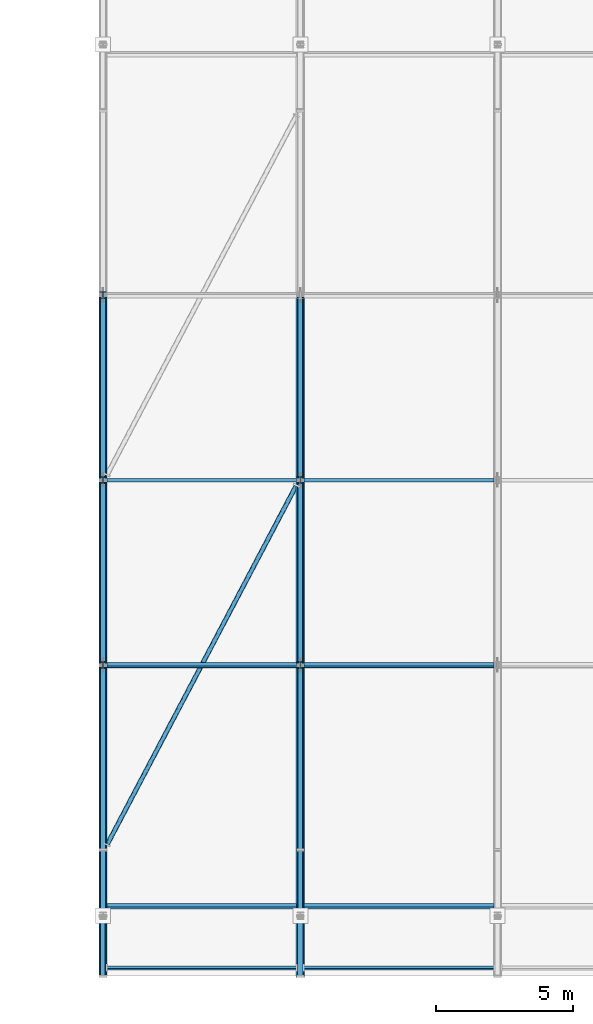
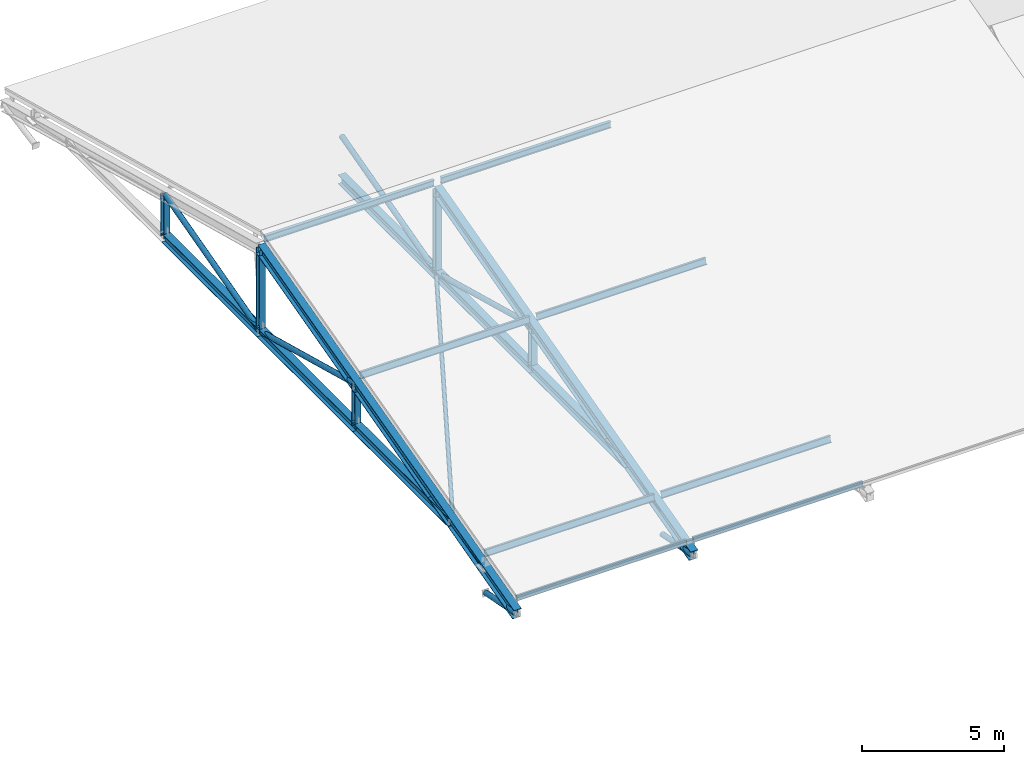
# One storey, part 1 of 57: 30 members, 2 beams.
"""IFC4 building model written with IfcOpenShell, lengths in metres."""

from ifc_helpers import new_model, si_unit, direction, frame, origin, origin_2d, place, context, subcontext, project, spatial, hollow_rectangle, hollow_circle, i_section, extrude, material, material_profile, profile_set, type_object, element, save


model = new_model("IFC4")

# Units and contexts
model_context = context("Model", 3, precision=1e-05, world=origin(), true_north=direction((0.0, 1.0)))
body_context = subcontext(model_context, "Body", "Model", "MODEL_VIEW")
ifc_project = project(units=[si_unit("LENGTHUNIT", "METRE"), si_unit("AREAUNIT", "SQUARE_METRE"), si_unit("VOLUMEUNIT", "CUBIC_METRE"), si_unit("PLANEANGLEUNIT", "RADIAN"), si_unit("MASSUNIT", "GRAM", prefix="KILO")], contexts=[model_context])

# Site, building, storey
site_placement = place(None, origin())
site = spatial("IfcSite", under=ifc_project, at=site_placement, CompositionType="ELEMENT")
building_placement = place(site_placement, origin())
building = spatial("IfcBuilding", under=site, at=building_placement, Name="Kelarvand Opera House", CompositionType="ELEMENT")
storey_placement = place(building_placement, frame((0.0, 0.0, 33.60009765625)))
storey = spatial("IfcBuildingStorey", under=building, at=storey_placement, Name="Roof", CompositionType="ELEMENT", Elevation=33.60009765625)

# Members
ifc_material = material(Name="Steel S355", Category="steel")
ifc_material_profile_1 = material_profile(ifc_material, hollow_circle(Radius=0.084228515625, WallThickness=0.008056640625, at=origin_2d()), Name="CHS 168.3x8.0", Category="steel")
ifc_profile_set_1 = profile_set([ifc_material_profile_1], Name="Steel S355")
member_type_1 = type_object("IfcMemberType", Name="Structural Brace CHS 168.3x8.0 BR-CHS168", PredefinedType="BRACE", material=ifc_profile_set_1)
member_1_placement = place(storey_placement, frame((59.35009765625, 49.199951171875, 0.52001953125), z_axis=(0.466016890675, 0.884775823362, 0.0), x_axis=(-0.884775823362, 0.466016890675, 0.0)))
element("IfcMember", 1, at=member_1_placement, inside=storey, type_object=member_type_1, Name="V2 Roof Wind Brace 1.1", PredefinedType="BRACE", context=body_context, shape_type="SweptSolid", body=[
    extrude(hollow_circle(Radius=0.084228515625, WallThickness=0.008056640625, at=origin_2d()), origin(), (0.0, 0.0, 1.0), 14.80615234375),
])
ifc_material_profile_2 = material_profile(ifc_material, hollow_circle(Radius=0.109619140625, WallThickness=0.010009765625, at=origin_2d()), Name="CHS 219.1x10.0", Category="steel")
ifc_profile_set_2 = profile_set([ifc_material_profile_2], Name="Steel S355")
member_type_2 = type_object("IfcMemberType", Name="Structural Brace CHS 219.1x10.0 BR-CHS219", PredefinedType="BRACE", material=ifc_profile_set_2)
member_2_placement = place(storey_placement, frame((59.199951171875, 46.60009765625, -1.10009765625), z_axis=(0.0, -0.981866297583, 0.189574717909), x_axis=(1.0, 0.0, 0.0)))
element("IfcMember", 2, at=member_2_placement, inside=storey, type_object=member_type_2, Name="V2 Roof Truss 1 Eave Knee Brace S", PredefinedType="BRACE", context=body_context, shape_type="SweptSolid", body=[
    extrude(hollow_circle(Radius=0.109619140625, WallThickness=0.010009765625, at=origin_2d()), origin(), (0.0, 0.0, 1.0), 2.24072265625),
])
member_3_placement = place(storey_placement, frame((59.199951171875, 46.60009765625, 0.0), z_axis=(0.0, 0.977319710639, 0.21176917433), x_axis=(-1.0, 0.0, 0.0)))
element("IfcMember", 3, at=member_3_placement, inside=storey, type_object=member_type_2, Name="V2 Roof Truss 1 Support Tie S", PredefinedType="BRACE", context=body_context, shape_type="SweptSolid", body=[
    extrude(hollow_circle(Radius=0.109619140625, WallThickness=0.010009765625, at=origin_2d()), origin(), (0.0, 0.0, 1.0), 2.45556640625),
])
for number, where, z_axis, x_axis, name in (
    (4, (59.199951171875, 49.0, 0.52001953125), (0.0, 0.965709449252, 0.259625229177), (-1.0, 0.0, 0.0), "V2 Roof Truss 1 Web Diagonal 1"),
    (5, (59.199951171875, 55.75, 2.334716796875), (0.0, 0.965709449252, -0.259625229177), (-1.0, 0.0, 0.0), "V2 Roof Truss 1 Web Diagonal 2"),
    (6, (59.199951171875, 62.5, 0.52001953125), (0.0, 0.965709449252, 0.259625229177), (-1.0, 0.0, 0.0), "V2 Roof Truss 1 Web Diagonal 3"),
):
    element("IfcMember", number, at=place(storey_placement, frame(where, z_axis=z_axis, x_axis=x_axis)), inside=storey, type_object=member_type_2, Name=name, PredefinedType="BRACE", context=body_context, shape_type="SweptSolid", body=[
        extrude(hollow_circle(Radius=0.109619140625, WallThickness=0.010009765625, at=origin_2d()), origin(), (0.0, 0.0, 1.0), 6.98974609375),
    ])
member_4_placement = place(storey_placement, frame((66.39990234375, 46.60009765625, -1.10009765625), z_axis=(0.0, -0.981866297583, 0.189574717909), x_axis=(1.0, 0.0, 0.0)))
element("IfcMember", 7, at=member_4_placement, inside=storey, type_object=member_type_2, Name="V2 Roof Truss 2 Eave Knee Brace S", PredefinedType="BRACE", context=body_context, shape_type="SweptSolid", body=[
    extrude(hollow_circle(Radius=0.109619140625, WallThickness=0.010009765625, at=origin_2d()), origin(), (0.0, 0.0, 1.0), 2.24072265625),
])
member_5_placement = place(storey_placement, frame((66.39990234375, 46.60009765625, 0.0), z_axis=(0.0, 0.977319710639, 0.21176917433), x_axis=(-1.0, 0.0, 0.0)))
element("IfcMember", 8, at=member_5_placement, inside=storey, type_object=member_type_2, Name="V2 Roof Truss 2 Support Tie S", PredefinedType="BRACE", context=body_context, shape_type="SweptSolid", body=[
    extrude(hollow_circle(Radius=0.109619140625, WallThickness=0.010009765625, at=origin_2d()), origin(), (0.0, 0.0, 1.0), 2.45556640625),
])
for number, where, z_axis, x_axis, name in (
    (9, (66.39990234375, 49.0, 0.52001953125), (0.0, 0.965709449252, 0.259625229177), (-1.0, 0.0, 0.0), "V2 Roof Truss 2 Web Diagonal 1"),
    (10, (66.39990234375, 55.75, 2.334716796875), (0.0, 0.965709449252, -0.259625229177), (-1.0, 0.0, 0.0), "V2 Roof Truss 2 Web Diagonal 2"),
    (11, (66.39990234375, 62.5, 0.52001953125), (0.0, 0.965709449252, 0.259625229177), (-1.0, 0.0, 0.0), "V2 Roof Truss 2 Web Diagonal 3"),
):
    element("IfcMember", number, at=place(storey_placement, frame(where, z_axis=z_axis, x_axis=x_axis)), inside=storey, type_object=member_type_2, Name=name, PredefinedType="BRACE", context=body_context, shape_type="SweptSolid", body=[
        extrude(hollow_circle(Radius=0.109619140625, WallThickness=0.010009765625, at=origin_2d()), origin(), (0.0, 0.0, 1.0), 6.98974609375),
    ])
ifc_material_profile_3 = material_profile(ifc_material, i_section(OverallWidth=0.300048828125, OverallDepth=0.39990234375, WebThickness=0.013427734375, FlangeThickness=0.02392578125, at=origin_2d()), Name="HEB 400", Category="steel")
ifc_profile_set_3 = profile_set([ifc_material_profile_3], Name="Steel S355")
member_type_3 = type_object("IfcMemberType", Name="Structural Chord HEB 400 CH-HEB400", PredefinedType="CHORD", material=ifc_profile_set_3)
for number, where, z_axis, x_axis, name in (
    (12, (59.199951171875, 49.0, 0.52001953125), (0.0, 1.0, 0.0), (-1.0, 0.0, 0.0), "V2 Roof Truss 1 Bottom Chord 1"),
    (13, (59.199951171875, 55.75, 0.52001953125), (0.0, 1.0, 0.0), (-1.0, 0.0, 0.0), "V2 Roof Truss 1 Bottom Chord 2"),
    (14, (59.199951171875, 62.5, 0.52001953125), (0.0, 1.0, 0.0), (-1.0, 0.0, 0.0), "V2 Roof Truss 1 Bottom Chord 3"),
    (15, (66.39990234375, 49.0, 0.52001953125), (0.0, 1.0, 0.0), (-1.0, 0.0, 0.0), "V2 Roof Truss 2 Bottom Chord 1"),
    (16, (66.39990234375, 55.75, 0.52001953125), (0.0, 1.0, 0.0), (-1.0, 0.0, 0.0), "V2 Roof Truss 2 Bottom Chord 2"),
    (17, (66.39990234375, 62.5, 0.52001953125), (0.0, 1.0, 0.0), (-1.0, 0.0, 0.0), "V2 Roof Truss 2 Bottom Chord 3"),
):
    element("IfcMember", number, at=place(storey_placement, frame(where, z_axis=z_axis, x_axis=x_axis)), inside=storey, type_object=member_type_3, Name=name, PredefinedType="CHORD", context=body_context, shape_type="SweptSolid", body=[
        extrude(i_section(OverallWidth=0.300048828125, OverallDepth=0.39990234375, WebThickness=0.013427734375, FlangeThickness=0.02392578125, at=origin_2d()), origin(), (0.0, 0.0, 1.0), 6.75),
    ])
ifc_material_profile_4 = material_profile(ifc_material, i_section(OverallWidth=0.239990234375, OverallDepth=0.239990234375, WebThickness=0.010009765625, FlangeThickness=0.01708984375, at=origin_2d()), Name="HEB 240", Category="steel")
ifc_profile_set_4 = profile_set([ifc_material_profile_4], Name="Steel S355")
member_type_4 = type_object("IfcMemberType", Name="Structural Post HEB 240 PS-HEB240", PredefinedType="POST", material=ifc_profile_set_4)
member_6_placement = place(storey_placement, frame((59.199951171875, 55.75, 0.52001953125), z_axis=(0.0, 0.0, 1.0), x_axis=(1.0, 0.0, 0.0)))
element("IfcMember", 18, at=member_6_placement, inside=storey, type_object=member_type_4, Name="V2 Roof Truss 1 Post 1", PredefinedType="POST", context=body_context, shape_type="SweptSolid", body=[
    extrude(i_section(OverallWidth=0.239990234375, OverallDepth=0.239990234375, WebThickness=0.010009765625, FlangeThickness=0.01708984375, at=origin_2d()), origin(), (0.0, 0.0, 1.0), 1.814697265625),
])
member_7_placement = place(storey_placement, frame((59.199951171875, 62.5, 0.52001953125), z_axis=(0.0, 0.0, 1.0), x_axis=(1.0, 0.0, 0.0)))
element("IfcMember", 19, at=member_7_placement, inside=storey, type_object=member_type_4, Name="V2 Roof Truss 1 Post 2", PredefinedType="POST", context=body_context, shape_type="SweptSolid", body=[
    extrude(i_section(OverallWidth=0.239990234375, OverallDepth=0.239990234375, WebThickness=0.010009765625, FlangeThickness=0.01708984375, at=origin_2d()), origin(), (0.0, 0.0, 1.0), 3.6044921875),
])
for number, where, z_axis, x_axis, name in (
    (20, (59.199951171875, 69.25, 0.52001953125), (0.0, 0.0, 1.0), (1.0, 0.0, 0.0), "V2 Roof Truss 1 Post 3"),
    (21, (66.39990234375, 55.75, 0.52001953125), (0.0, 0.0, 1.0), (1.0, 0.0, 0.0), "V2 Roof Truss 2 Post 1"),
):
    element("IfcMember", number, at=place(storey_placement, frame(where, z_axis=z_axis, x_axis=x_axis)), inside=storey, type_object=member_type_4, Name=name, PredefinedType="POST", context=body_context, shape_type="SweptSolid", body=[
        extrude(i_section(OverallWidth=0.239990234375, OverallDepth=0.239990234375, WebThickness=0.010009765625, FlangeThickness=0.01708984375, at=origin_2d()), origin(), (0.0, 0.0, 1.0), 1.814697265625),
    ])
member_8_placement = place(storey_placement, frame((66.39990234375, 62.5, 0.52001953125), z_axis=(0.0, 0.0, 1.0), x_axis=(1.0, 0.0, 0.0)))
element("IfcMember", 22, at=member_8_placement, inside=storey, type_object=member_type_4, Name="V2 Roof Truss 2 Post 2", PredefinedType="POST", context=body_context, shape_type="SweptSolid", body=[
    extrude(i_section(OverallWidth=0.239990234375, OverallDepth=0.239990234375, WebThickness=0.010009765625, FlangeThickness=0.01708984375, at=origin_2d()), origin(), (0.0, 0.0, 1.0), 3.6044921875),
])
ifc_material_profile_5 = material_profile(ifc_material, i_section(OverallWidth=0.135009765625, OverallDepth=0.27001953125, WebThickness=0.006591796875, FlangeThickness=0.01025390625, at=origin_2d()), Name="IPE 270", Category="steel")
ifc_profile_set_5 = profile_set([ifc_material_profile_5], Name="Steel S355")
member_type_5 = type_object("IfcMemberType", Name="Structural Purlin IPE 270 PR-IPE270", PredefinedType="PURLIN", material=ifc_profile_set_5)
for number, where, z_axis, x_axis, name in (
    (23, (59.340087890625, 46.949951171875, 0.339111328125), (1.0, 0.0, 0.0), (0.0, 0.966600102017, -0.256289373133), "V2 Roof Purlin 1.2"),
    (24, (59.340087890625, 55.75, 2.6728515625), (1.0, 0.0, 0.0), (0.0, 0.966600102017, -0.256289373133), "V2 Roof Purlin 1.3"),
    (25, (59.340087890625, 62.5, 4.4755859375), (1.0, 0.0, 0.0), (0.0, 1.0, 0.0), "V2 Roof Purlin 1.4"),
    (26, (66.5400390625, 46.949951171875, 0.339111328125), (1.0, 0.0, 0.0), (0.0, 0.966600102017, -0.256289373133), "V2 Roof Purlin 2.2"),
    (27, (66.5400390625, 55.75, 2.6728515625), (1.0, 0.0, 0.0), (0.0, 0.966600102017, -0.256289373133), "V2 Roof Purlin 2.3"),
    (28, (66.5400390625, 62.5, 4.4755859375), (1.0, 0.0, 0.0), (0.0, 1.0, 0.0), "V2 Roof Purlin 2.4"),
):
    element("IfcMember", number, at=place(storey_placement, frame(where, z_axis=z_axis, x_axis=x_axis)), inside=storey, type_object=member_type_5, Name=name, PredefinedType="PURLIN", context=body_context, shape_type="SweptSolid", body=[
        extrude(i_section(OverallWidth=0.135009765625, OverallDepth=0.27001953125, WebThickness=0.006591796875, FlangeThickness=0.01025390625, at=origin_2d()), origin(), (0.0, 0.0, 1.0), 6.919921875),
    ])
ifc_material_profile_6 = material_profile(ifc_material, hollow_rectangle(XDim=0.10009765625, YDim=0.199951171875, WallThickness=0.008056640625, at=origin_2d()), Name="RHS 200x100x8.0", Category="steel")
ifc_profile_set_6 = profile_set([ifc_material_profile_6], Name="Steel S355")
member_type_6 = type_object("IfcMemberType", Name="Structural Purlin RHS 200x100x8.0 PR-RHS200E", PredefinedType="PURLIN", material=ifc_profile_set_6)
for number, where, z_axis, x_axis, name in (
    (29, (59.340087890625, 44.699951171875, -0.21923828125), (1.0, 0.0, 0.0), (0.0, 0.966600102017, -0.256289373133), "V2 Roof Purlin 1.1"),
    (30, (66.5400390625, 44.699951171875, -0.21923828125), (1.0, 0.0, 0.0), (0.0, 0.966600102017, -0.256289373133), "V2 Roof Purlin 2.1"),
):
    element("IfcMember", number, at=place(storey_placement, frame(where, z_axis=z_axis, x_axis=x_axis)), inside=storey, type_object=member_type_6, Name=name, PredefinedType="PURLIN", context=body_context, shape_type="SweptSolid", body=[
        extrude(hollow_rectangle(XDim=0.10009765625, YDim=0.199951171875, WallThickness=0.008056640625, at=origin_2d()), origin(), (0.0, 0.0, 1.0), 6.919921875),
    ])

# Beams
ifc_material_profile_7 = material_profile(ifc_material, i_section(OverallWidth=0.300048828125, OverallDepth=0.449951171875, WebThickness=0.013916015625, FlangeThickness=0.02587890625, at=origin_2d()), Name="HEB 450", Category="steel")
ifc_profile_set_7 = profile_set([ifc_material_profile_7], Name="Steel S355")
beam_type = type_object("IfcBeamType", Name="Structural Roof Truss HEB 450 RT-HEB450", PredefinedType="USERDEFINED", material=ifc_profile_set_7)
for number, where, z_axis, x_axis, name in (
    (31, (59.199951171875, 44.39990234375, -0.67529296875), (0.0, 0.966591492403, 0.256321842249), (-1.0, 0.0, 0.0), "V2 Roof Truss 1 Top Chord Rafter 1"),
    (32, (66.39990234375, 44.39990234375, -0.67529296875), (0.0, 0.966591492403, 0.256321842249), (-1.0, 0.0, 0.0), "V2 Roof Truss 2 Top Chord Rafter 1"),
):
    element("IfcBeam", number, at=place(storey_placement, frame(where, z_axis=z_axis, x_axis=x_axis)), inside=storey, type_object=beam_type, Name=name, ObjectType="ROOF TRUSS", PredefinedType="USERDEFINED", context=body_context, shape_type="SweptSolid", body=[
        extrude(i_section(OverallWidth=0.300048828125, OverallDepth=0.449951171875, WebThickness=0.013916015625, FlangeThickness=0.02587890625, at=origin_2d()), origin(), (0.0, 0.0, 1.0), 18.7255859375),
    ])

save(model, "model.ifc")
